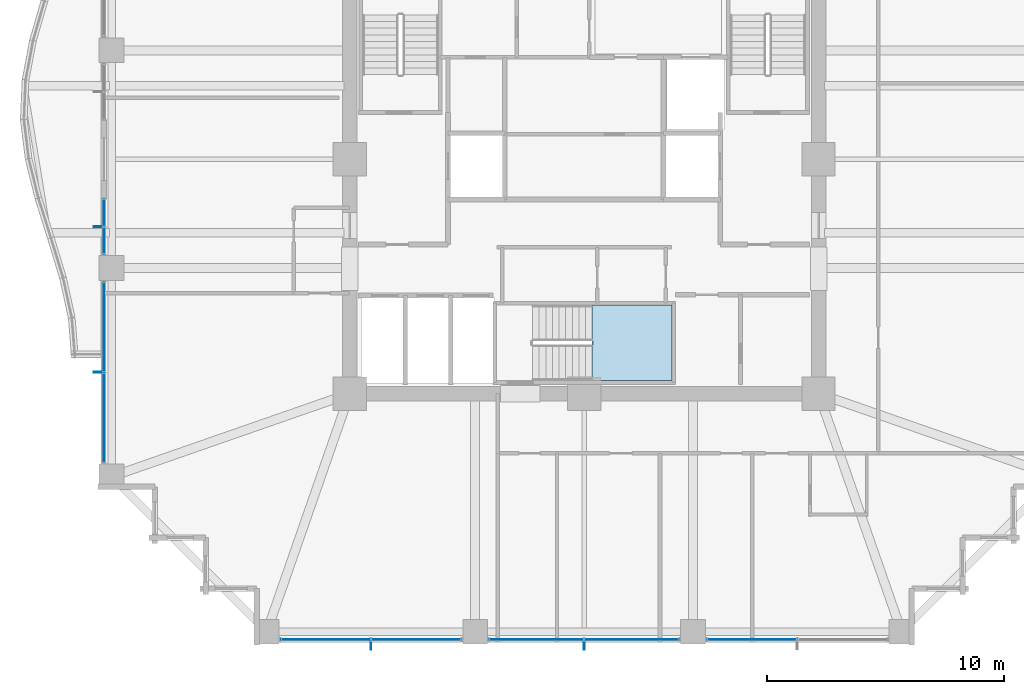
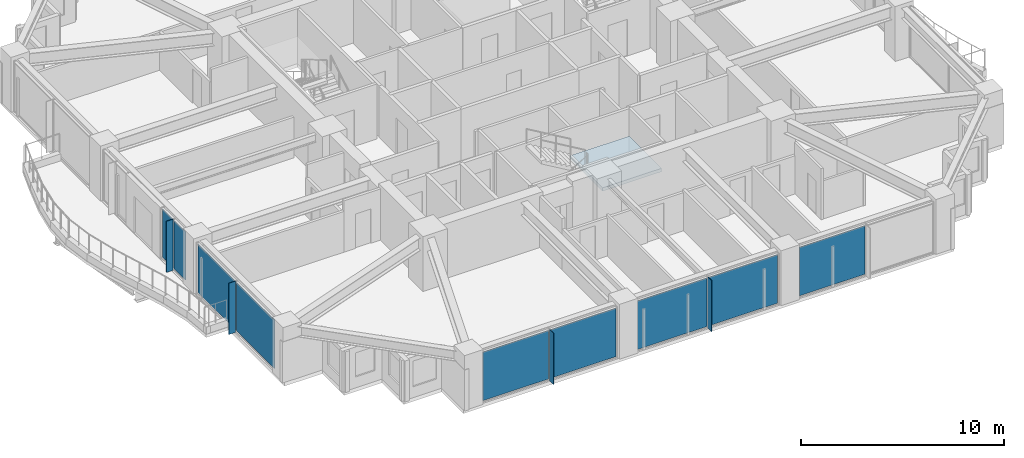
# One storey, part 25 of 36: 13 plates, 1 slab, 6 elements without a shape of their own.
"""IFC4 building model written with IfcOpenShell, lengths in metres."""

from ifc_helpers import new_model, si_unit, direction, frame, origin, origin_2d, place, context, subcontext, project, spatial, polyline, rectangle, outline, extrude, material, layer, layer_set, type_object, element, aggregate, save


model = new_model("IFC4")

# Units and contexts
model_context = context("Model", 3, precision=1e-05, world=origin(), true_north=direction((0.0, 1.0)))
body_context = subcontext(model_context, "Body", "Model", "MODEL_VIEW")
ifc_project = project(units=[si_unit("LENGTHUNIT", "METRE"), si_unit("AREAUNIT", "SQUARE_METRE"), si_unit("VOLUMEUNIT", "CUBIC_METRE"), si_unit("PLANEANGLEUNIT", "RADIAN"), si_unit("MASSUNIT", "GRAM", prefix="KILO")], contexts=[model_context])

# Site, building, storey
site_placement = place(None, origin())
site = spatial("IfcSite", under=ifc_project, at=site_placement, CompositionType="ELEMENT")
building_placement = place(site_placement, origin())
building = spatial("IfcBuilding", under=site, at=building_placement, Name="Kolvaren Belvedere", CompositionType="ELEMENT")
storey_placement = place(building_placement, frame((0.0, 0.0, 92.0)))
storey = spatial("IfcBuildingStorey", under=building, at=storey_placement, Name="L26", CompositionType="ELEMENT", Elevation=92.0)

# Curtain wall, plate
ifc_material_1 = material(Name="Anodised pale-metal aluminium AA 6063-T6", Category="aluminium")
curtain_wall_type = type_object("IfcCurtainWallType", Name="CW-Z2-MID", PredefinedType="NOTDEFINED", material=ifc_material_1)
curtain_wall_1_placement = place(storey_placement, origin())
curtain_wall_1 = element("IfcCurtainWall", 1, at=curtain_wall_1_placement, inside=storey, type_object=curtain_wall_type, Name="L26 Unitised Curtain Wall FCW-L26-S-B1", PredefinedType="NOTDEFINED")
ifc_material_2 = material(Name="Low-iron triple insulated glass", Category="glass")
ifc_layer_1 = layer(ifc_material_2, 0.028076171875)
ifc_layer_set_1 = layer_set([ifc_layer_1], Name="Low-iron triple insulated glass")
plate_type_1 = type_object("IfcPlateType", Name="CW-PNL-VIS28", PredefinedType="CURTAIN_PANEL", material=ifc_layer_set_1)
plate_1_placement = place(storey_placement, frame((7.0888671875, -20.280029296875, 0.080078125), z_axis=(0.0, 0.0, 1.0), x_axis=(-1.0, 0.0, 0.0)))
plate_1 = element("IfcPlate", 2, at=plate_1_placement, type_object=plate_type_1, Name="FCW-L26-S-B1 Vision Glazing Panel 2", PredefinedType="CURTAIN_PANEL", context=body_context, shape_type="SweptSolid", body=[
    extrude(rectangle(XDim=3.742431640625, YDim=0.028076171875, at=origin_2d()), origin(), (0.0, 0.0, 1.0), 2.919921875),
])
aggregate(curtain_wall_1, [plate_1])

# Curtain wall, plates
curtain_wall_2_placement = place(storey_placement, origin())
curtain_wall_2 = element("IfcCurtainWall", 3, at=curtain_wall_2_placement, inside=storey, type_object=curtain_wall_type, Name="L26 Unitised Curtain Wall FCW-L26-S-B2", PredefinedType="NOTDEFINED")
plate_2_placement = place(storey_placement, frame((2.01123046875, -20.280029296875, 0.080078125), z_axis=(0.0, 0.0, 1.0), x_axis=(-1.0, 0.0, 0.0)))
plate_2 = element("IfcPlate", 4, at=plate_2_placement, type_object=plate_type_1, Name="FCW-L26-S-B2 Vision Glazing Panel 1", PredefinedType="CURTAIN_PANEL", context=body_context, shape_type="SweptSolid", body=[
    extrude(rectangle(XDim=3.9423828125, YDim=0.028076171875, at=origin_2d()), origin(), (0.0, 0.0, 1.0), 2.919921875),
])
plate_3_placement = place(storey_placement, frame((-2.01123046875, -20.280029296875, 0.080078125), z_axis=(0.0, 0.0, 1.0), x_axis=(-1.0, 0.0, 0.0)))
plate_3 = element("IfcPlate", 5, at=plate_3_placement, type_object=plate_type_1, Name="FCW-L26-S-B2 Vision Glazing Panel 2", PredefinedType="CURTAIN_PANEL", context=body_context, shape_type="SweptSolid", body=[
    extrude(rectangle(XDim=3.9423828125, YDim=0.028076171875, at=origin_2d()), origin(), (0.0, 0.0, 1.0), 2.919921875),
])
aggregate(curtain_wall_2, [plate_2, plate_3])

curtain_wall_3_placement = place(storey_placement, origin())
curtain_wall_3 = element("IfcCurtainWall", 6, at=curtain_wall_3_placement, inside=storey, type_object=curtain_wall_type, Name="L26 Unitised Curtain Wall FCW-L26-S-B3", PredefinedType="NOTDEFINED")
plate_4_placement = place(storey_placement, frame((-7.0888671875, -20.280029296875, 0.080078125), z_axis=(0.0, 0.0, 1.0), x_axis=(-1.0, 0.0, 0.0)))
plate_4 = element("IfcPlate", 7, at=plate_4_placement, type_object=plate_type_1, Name="FCW-L26-S-B3 Vision Glazing Panel 1", PredefinedType="CURTAIN_PANEL", context=body_context, shape_type="SweptSolid", body=[
    extrude(rectangle(XDim=3.742431640625, YDim=0.028076171875, at=origin_2d()), origin(), (0.0, 0.0, 1.0), 2.919921875),
])
plate_5_placement = place(storey_placement, frame((-10.9111328125, -20.280029296875, 0.080078125), z_axis=(0.0, 0.0, 1.0), x_axis=(-1.0, 0.0, 0.0)))
plate_5 = element("IfcPlate", 8, at=plate_5_placement, type_object=plate_type_1, Name="FCW-L26-S-B3 Vision Glazing Panel 2", PredefinedType="CURTAIN_PANEL", context=body_context, shape_type="SweptSolid", body=[
    extrude(rectangle(XDim=3.742431640625, YDim=0.028076171875, at=origin_2d()), origin(), (0.0, 0.0, 1.0), 2.919921875),
])
aggregate(curtain_wall_3, [plate_4, plate_5])

curtain_wall_4_placement = place(storey_placement, origin())
curtain_wall_4 = element("IfcCurtainWall", 9, at=curtain_wall_4_placement, inside=storey, type_object=curtain_wall_type, Name="L26 Unitised Curtain Wall FCW-L26-W1-B1", PredefinedType="NOTDEFINED")
plate_6_placement = place(storey_placement, frame((-20.280029296875, -10.9111328125, 0.080078125), z_axis=(0.0, 0.0, 1.0), x_axis=(0.0, 1.0, 0.0)))
plate_6 = element("IfcPlate", 10, at=plate_6_placement, type_object=plate_type_1, Name="FCW-L26-W1-B1 Vision Glazing Panel 1", PredefinedType="CURTAIN_PANEL", context=body_context, shape_type="SweptSolid", body=[
    extrude(rectangle(XDim=3.742431640625, YDim=0.028076171875, at=origin_2d()), origin(), (0.0, 0.0, 1.0), 2.919921875),
])
plate_7_placement = place(storey_placement, frame((-20.280029296875, -7.0888671875, 0.080078125), z_axis=(0.0, 0.0, 1.0), x_axis=(0.0, 1.0, 0.0)))
plate_7 = element("IfcPlate", 11, at=plate_7_placement, type_object=plate_type_1, Name="FCW-L26-W1-B1 Vision Glazing Panel 2", PredefinedType="CURTAIN_PANEL", context=body_context, shape_type="SweptSolid", body=[
    extrude(rectangle(XDim=3.742431640625, YDim=0.028076171875, at=origin_2d()), origin(), (0.0, 0.0, 1.0), 2.919921875),
])
aggregate(curtain_wall_4, [plate_6, plate_7])

curtain_wall_5_placement = place(storey_placement, origin())
curtain_wall_5 = element("IfcCurtainWall", 12, at=curtain_wall_5_placement, inside=storey, type_object=curtain_wall_type, Name="L26 Unitised Curtain Wall FCW-L26-W1-B2", PredefinedType="NOTDEFINED")
plate_8_placement = place(storey_placement, frame((-20.280029296875, -3.43701171875, 0.080078125), z_axis=(0.0, 0.0, 1.0), x_axis=(0.0, 1.0, 0.0)))
plate_8 = element("IfcPlate", 13, at=plate_8_placement, type_object=plate_type_1, Name="FCW-L26-W1-B2 Vision Glazing Panel 1", PredefinedType="CURTAIN_PANEL", context=body_context, shape_type="SweptSolid", body=[
    extrude(rectangle(XDim=1.09130859375, YDim=0.028076171875, at=origin_2d()), origin(), (0.0, 0.0, 1.0), 2.919921875),
])
plate_9_placement = place(storey_placement, frame((-20.280029296875, -2.265625, 0.080078125), z_axis=(0.0, 0.0, 1.0), x_axis=(0.0, 1.0, 0.0)))
plate_9 = element("IfcPlate", 14, at=plate_9_placement, type_object=plate_type_1, Name="FCW-L26-W1-B2 Vision Glazing Panel 2", PredefinedType="CURTAIN_PANEL", context=body_context, shape_type="SweptSolid", body=[
    extrude(rectangle(XDim=1.09130859375, YDim=0.028076171875, at=origin_2d()), origin(), (0.0, 0.0, 1.0), 2.919921875),
])
aggregate(curtain_wall_5, [plate_8, plate_9])

# Plates
ifc_material_3 = material(Name="Anodised pale-metal aluminium AA 6063-T6", Category="aluminium")
ifc_layer_2 = layer(ifc_material_3, 0.033935546875)
ifc_layer_set_2 = layer_set([ifc_layer_2], Name="Anodised pale-metal aluminium AA 6063-T6")
plate_type_2 = type_object("IfcPlateType", Name="FIN-VERT-380", PredefinedType="USERDEFINED", material=ifc_layer_set_2)
for number, where, z_axis, x_axis, name in (
    (15, (0.0, -20.52490234375, 0.0), (0.0, 0.0, 1.0), (0.0, 1.0, 0.0), "L26 Pale-Metal Vertical Shading Fin FCW-L26-S-B2-1"),
    (16, (-9.0, -20.52490234375, 0.0), (0.0, 0.0, 1.0), (0.0, 1.0, 0.0), "L26 Pale-Metal Vertical Shading Fin FCW-L26-S-B3-1"),
    (17, (-20.52490234375, -9.0, 0.0), (0.0, 0.0, 1.0), (1.0, 0.0, 0.0), "L26 Pale-Metal Vertical Shading Fin FCW-L26-W1-B1-1"),
    (18, (-20.52490234375, -2.851318359375, 0.0), (0.0, 0.0, 1.0), (1.0, 0.0, 0.0), "L26 Pale-Metal Vertical Shading Fin FCW-L26-W1-B2-1"),
):
    element("IfcPlate", number, at=place(storey_placement, frame(where, z_axis=z_axis, x_axis=x_axis)), inside=storey, type_object=plate_type_2, Name=name, ObjectType="VERTICAL FIN", PredefinedType="USERDEFINED", context=body_context, shape_type="SweptSolid", body=[
        extrude(rectangle(XDim=0.3798828125, YDim=0.033935546875, at=origin_2d()), origin(), (0.0, 0.0, 1.0), 3.080078125),
    ])

# Stair, slab
ifc_material_4 = material(Name="Concrete C50/60", Category="concrete")
stair_type = type_object("IfcStairType", Name="ST-CORE-1520", PredefinedType="HALF_TURN_STAIR", material=ifc_material_4)
stair_placement = place(storey_placement, origin())
stair = element("IfcStair", 19, at=stair_placement, inside=storey, type_object=stair_type, Name="L26 Protected Exit Stair ST-3", PredefinedType="HALF_TURN_STAIR")
ifc_material_5 = material(Name="Concrete C50/60", Category="concrete")
ifc_layer_3 = layer(ifc_material_5, 0.260009765625)
ifc_layer_set_3 = layer_set([ifc_layer_3], Name="Concrete C50/60")
slab_type = type_object("IfcSlabType", Name="SL-LAND-260", PredefinedType="LANDING", material=ifc_layer_set_3)
slab_placement = place(storey_placement, frame((0.0, 0.0, 1.449951171875)))
slab = element("IfcSlab", 20, at=slab_placement, type_object=slab_type, Name="ST-3 landing 1", PredefinedType="LANDING", context=body_context, shape_type="SweptSolid", body=[
    extrude(outline(polyline([(0.340087890625, -9.35009765625), (3.699951171875, -9.35009765625), (3.699951171875, -6.159912109375), (0.340087890625, -6.159912109375), (0.340087890625, -9.35009765625)])), origin(), (0.0, 0.0, 1.0), 0.199951171875),
])
aggregate(stair, [slab])

save(model, "model.ifc")
